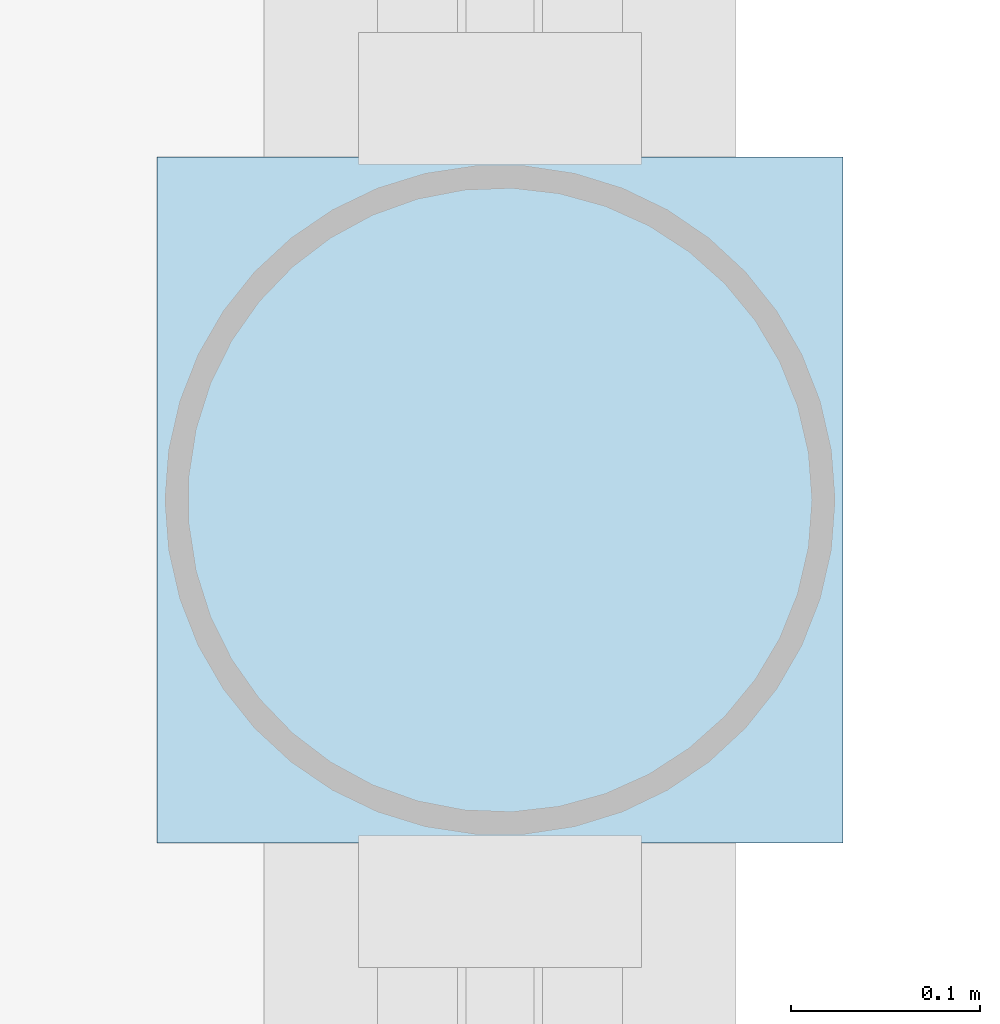
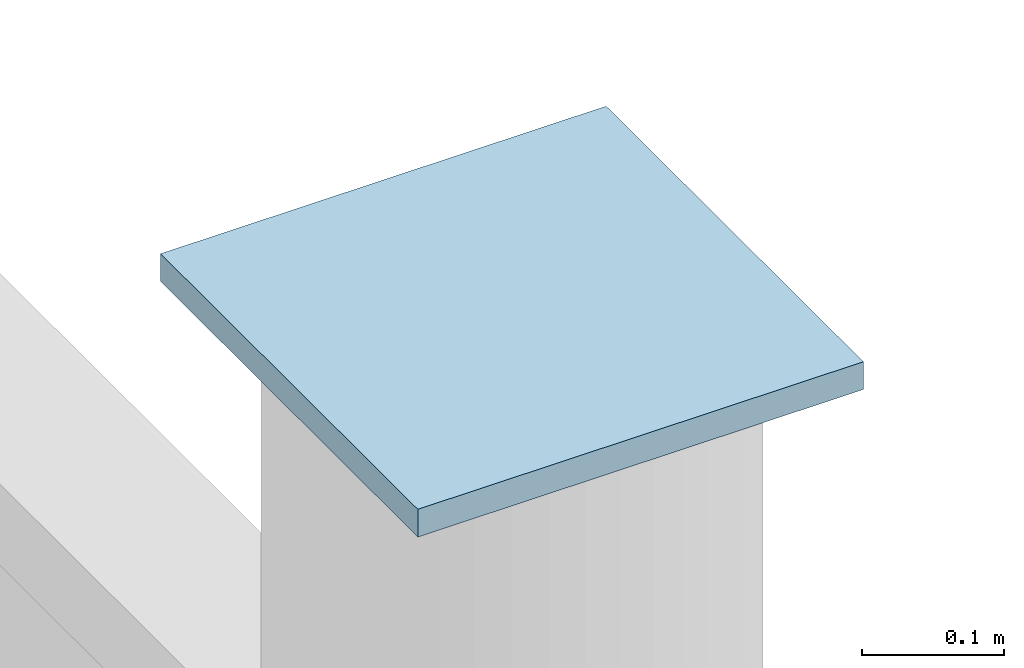
# One storey, part 57 of 75: 1 plate.
"""IFC4 building model written with IfcOpenShell, lengths in metres."""

from ifc_helpers import new_model, si_unit, direction, frame, origin, origin_2d, place, context, subcontext, project, spatial, rectangle, extrude, material, layer, layer_set, type_object, element, save


model = new_model("IFC4")

# Units and contexts
model_context = context("Model", 3, precision=1e-05, world=origin(), true_north=direction((0.0, 1.0)))
body_context = subcontext(model_context, "Body", "Model", "MODEL_VIEW")
ifc_project = project(units=[si_unit("LENGTHUNIT", "METRE"), si_unit("AREAUNIT", "SQUARE_METRE"), si_unit("VOLUMEUNIT", "CUBIC_METRE"), si_unit("PLANEANGLEUNIT", "RADIAN"), si_unit("MASSUNIT", "GRAM", prefix="KILO")], contexts=[model_context])

# Site, building, storey
site_placement = place(None, origin())
site = spatial("IfcSite", under=ifc_project, at=site_placement, CompositionType="ELEMENT")
building_placement = place(site_placement, origin())
building = spatial("IfcBuilding", under=site, at=building_placement, Name="Yukiwa Park Conservatory and Herbarium", CompositionType="ELEMENT")
storey_placement = place(building_placement, frame((0.0, 0.0, 4.800048828125)))
storey = spatial("IfcBuildingStorey", under=building, at=storey_placement, Name="L01", CompositionType="ELEMENT", Elevation=4.800048828125)

# Plate
ifc_material = material(Name="Steel Q355D", Category="steel")
ifc_layer = layer(ifc_material, 0.02392578125)
ifc_layer_set = layer_set([ifc_layer], Name="Steel Q355D")
plate_type = type_object("IfcPlateType", Name="PL-CAP-24", PredefinedType="USERDEFINED", material=ifc_layer_set)
plate_placement = place(storey_placement, frame((108.0, 39.0, 4.176025390625), z_axis=(0.0, 0.0, 1.0), x_axis=(1.0, 0.0, 0.0)))
element("IfcPlate", 1, at=plate_placement, inside=storey, type_object=plate_type, Name="Hollow section end cap plate CAP-COL-L01-V2-X1080-Y390", ObjectType="END CAP PLATE", PredefinedType="USERDEFINED", context=body_context, shape_type="SweptSolid", body=[
    extrude(rectangle(XDim=0.363525390625, YDim=0.363525390625, at=origin_2d()), origin(), (0.0, 0.0, 1.0), 0.02392578125),
])

save(model, "model.ifc")
